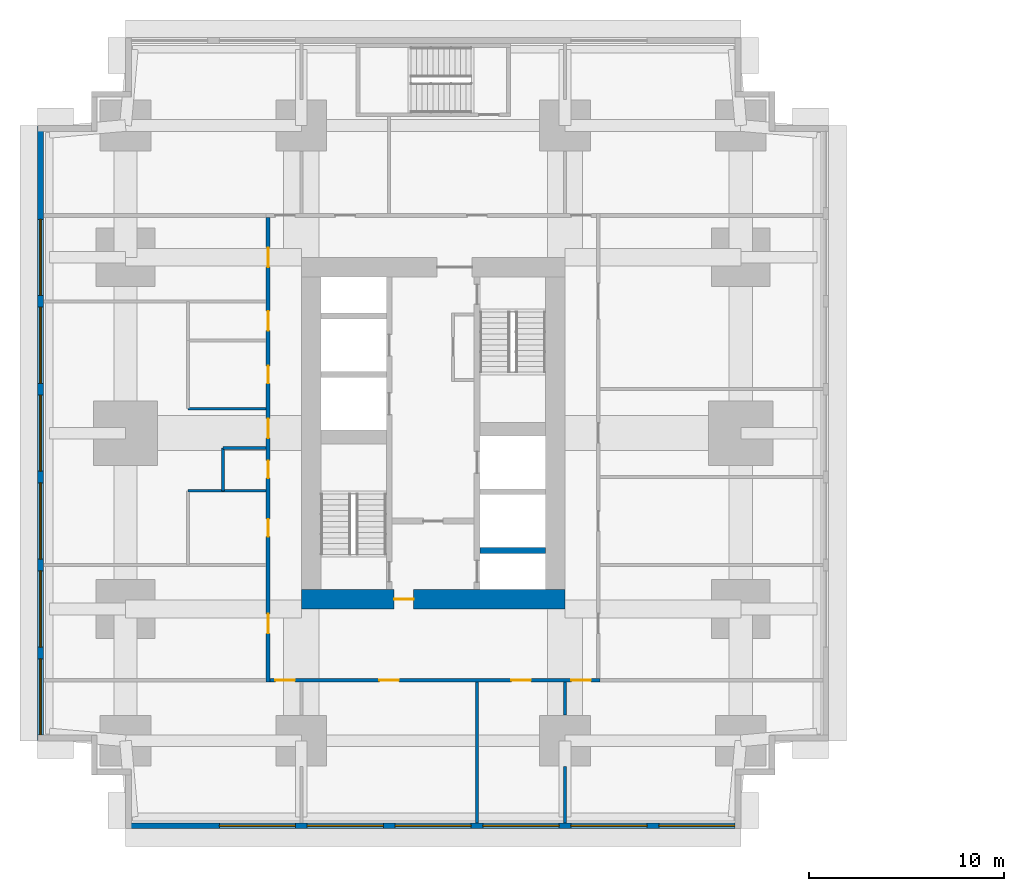
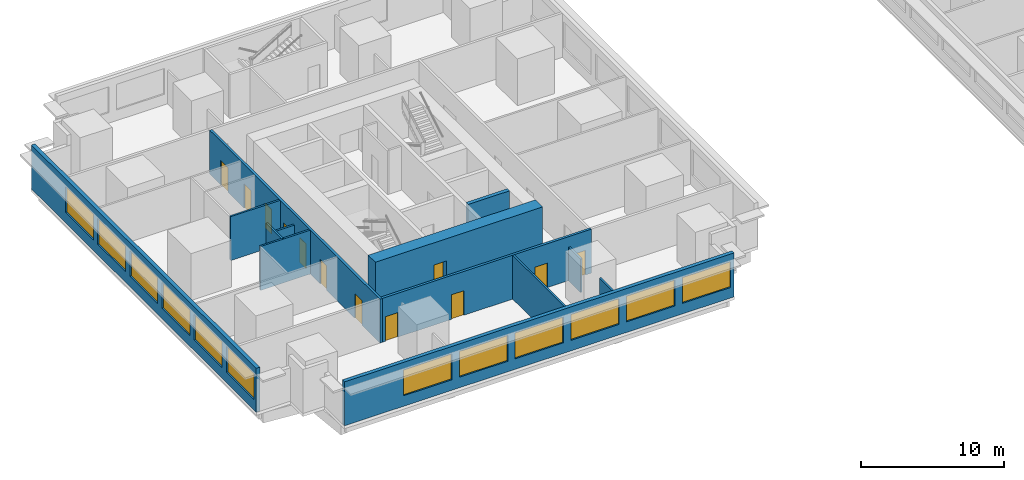
# One storey, part 3 of 11: 13 walls, 12 doors, 12 windows, 24 openings.
"""IFC4 building model written with IfcOpenShell, lengths in metres."""

from ifc_helpers import new_model, si_unit, direction, frame, frame_2d, origin, place, context, subcontext, project, spatial, rectangle, extrude, material, layer, layer_set, type_object, element, fill, save


model = new_model("IFC4")

# Units and contexts
model_context = context("Model", 3, precision=1e-05, world=origin(), true_north=direction((0.0, 1.0)))
body_context = subcontext(model_context, "Body", "Model", "MODEL_VIEW")
ifc_project = project(units=[si_unit("LENGTHUNIT", "METRE"), si_unit("AREAUNIT", "SQUARE_METRE"), si_unit("VOLUMEUNIT", "CUBIC_METRE"), si_unit("PLANEANGLEUNIT", "RADIAN"), si_unit("MASSUNIT", "GRAM", prefix="KILO")], contexts=[model_context])

# Site, building, storey
site_placement = place(None, origin())
site = spatial("IfcSite", under=ifc_project, at=site_placement, CompositionType="ELEMENT")
building_placement = place(site_placement, origin())
building = spatial("IfcBuilding", under=site, at=building_placement, Name="Namib Vertical Campus", CompositionType="ELEMENT")
storey_placement = place(building_placement, frame((0.0, 0.0, 33.0)))
storey = spatial("IfcBuildingStorey", under=building, at=storey_placement, Name="L07", CompositionType="ELEMENT", Elevation=33.0)

# Wall
ifc_material_1 = material(Name="Concrete C60/75", Category="concrete")
ifc_layer_1 = layer(ifc_material_1, 0.300048828125)
ifc_layer_set_1 = layer_set([ifc_layer_1], Name="Concrete C60/75")
wall_type_1 = type_object("IfcWallType", Name="Core inner wall 300", PredefinedType="SHEAR", material=ifc_layer_set_1)
wall_1_placement = place(storey_placement, frame((22.64990234375, 14.25, 0.0), z_axis=(0.0, 0.0, 1.0), x_axis=(1.0, 0.0, 0.0)))
element("IfcWall", 1, at=wall_1_placement, inside=storey, type_object=wall_type_1, Name="Core inner wall A L07 W5", PredefinedType="SHEAR", context=body_context, shape_type="SweptSolid", body=[
    extrude(rectangle(XDim=3.35009765625, YDim=0.300048828125, at=frame_2d((1.675048828125, 0.0))), origin(), (0.0, 0.0, 1.0), 4.0),
])

# Wall, opening, door
ifc_material_2 = material(Name="Concrete C60/75", Category="concrete")
ifc_layer_2 = layer(ifc_material_2, 1.0)
ifc_layer_set_2 = layer_set([ifc_layer_2], Name="Concrete C60/75")
wall_type_2 = type_object("IfcWallType", Name="Core wall 1000", PredefinedType="SHEAR", material=ifc_layer_set_2)
wall_2_placement = place(storey_placement, frame((13.5, 11.75, 0.0), z_axis=(0.0, 0.0, 1.0), x_axis=(1.0, 0.0, 0.0)))
wall_2 = element("IfcWall", 2, at=wall_2_placement, inside=storey, type_object=wall_type_2, Name="Core wall A L07 1", PredefinedType="SHEAR", context=body_context, shape_type="SweptSolid", body=[
    extrude(rectangle(XDim=13.5, YDim=1.0, at=frame_2d((6.75, 0.0))), origin(), (0.0, 0.0, 1.0), 4.0),
])
opening_1_placement = place(wall_2_placement, frame((4.75, 0.0, 0.0)))
opening_1 = element("IfcOpeningElement", 3, at=opening_1_placement, cuts=wall_2, Name="Opening FD5", PredefinedType="OPENING", context=body_context, shape_type="SweptSolid", body=[
    extrude(rectangle(XDim=1.0, YDim=2.10009765625, at=frame_2d((0.5, 1.050048828125))), frame((0.0, 0.510009765625, 0.0), z_axis=(0.0, -1.0, 0.0), x_axis=(1.0, 0.0, 0.0)), (0.0, 0.0, 1.0), 1.02001953125),
])
ifc_material_3 = material(Name="Steel fire door", Category="steel")
door_type_1 = type_object("IfcDoorType", Name="Fire door 1000x2100 120 min", OperationType="SINGLE_SWING_RIGHT", PredefinedType="DOOR", material=ifc_material_3)
door_1_placement = place(opening_1_placement, origin())
door_1 = element("IfcDoor", 4, at=door_1_placement, inside=storey, type_object=door_type_1, Name="Firefighting lobby door FD5 A L07", OperationType="SINGLE_SWING_LEFT", OverallHeight=2.10009765625, OverallWidth=1.0, PredefinedType="DOOR", context=body_context, shape_type="SweptSolid", body=[
    extrude(rectangle(XDim=1.0, YDim=2.10009765625, at=frame_2d((0.5, 1.050048828125))), frame((0.0, 0.02490234375, 0.0), z_axis=(0.0, -1.0, 0.0), x_axis=(1.0, 0.0, 0.0)), (0.0, 0.0, 1.0), 0.050048828125),
])
fill(opening_1, door_1)

# Wall, openings, doors
ifc_material_4 = material(Name="Concrete masonry", Category="masonry")
ifc_layer_3 = layer(ifc_material_4, 0.199951171875)
ifc_layer_set_3 = layer_set([ifc_layer_3], Name="Corridor wall 200")
wall_type_3 = type_object("IfcWallType", Name="Corridor wall 200", PredefinedType="SOLIDWALL", material=ifc_layer_set_3)
wall_3_placement = place(storey_placement, frame((11.89990234375, 7.60009765625, 0.0), z_axis=(0.0, 0.0, 1.0), x_axis=(1.0, 0.0, 0.0)))
wall_3 = element("IfcWall", 5, at=wall_3_placement, inside=storey, type_object=wall_type_3, Name="Corridor wall A L07 CS", PredefinedType="SOLIDWALL", context=body_context, shape_type="SweptSolid", body=[
    extrude(rectangle(XDim=16.900146484375, YDim=0.199951171875, at=frame_2d((8.4501953125, 0.0))), origin(), (0.0, 0.0, 1.0), 3.75),
])
opening_2_placement = place(wall_3_placement, frame((0.27490234375, 0.0, 0.0)))
opening_2 = element("IfcOpeningElement", 6, at=opening_2_placement, cuts=wall_3, Name="Opening CD1", PredefinedType="OPENING", context=body_context, shape_type="SweptSolid", body=[
    extrude(rectangle(XDim=1.0, YDim=2.10009765625, at=frame_2d((0.5, 1.050048828125))), frame((0.0, 0.10986328125, 0.0), z_axis=(0.0, -1.0, 0.0), x_axis=(1.0, 0.0, 0.0)), (0.0, 0.0, 1.0), 0.219970703125),
])
opening_3_placement = place(wall_3_placement, frame((5.60009765625, 0.0, 0.0)))
opening_3 = element("IfcOpeningElement", 7, at=opening_3_placement, cuts=wall_3, Name="Opening CD1", PredefinedType="OPENING", context=body_context, shape_type="SweptSolid", body=[
    extrude(rectangle(XDim=1.0, YDim=2.10009765625, at=frame_2d((0.5, 1.050048828125))), frame((0.0, 0.10986328125, 0.0), z_axis=(0.0, -1.0, 0.0), x_axis=(1.0, 0.0, 0.0)), (0.0, 0.0, 1.0), 0.219970703125),
])
opening_4_placement = place(wall_3_placement, frame((12.35009765625, 0.0, 0.0)))
opening_4 = element("IfcOpeningElement", 8, at=opening_4_placement, cuts=wall_3, Name="Opening CD1", PredefinedType="OPENING", context=body_context, shape_type="SweptSolid", body=[
    extrude(rectangle(XDim=1.0, YDim=2.10009765625, at=frame_2d((0.5, 1.050048828125))), frame((0.0, 0.10986328125, 0.0), z_axis=(0.0, -1.0, 0.0), x_axis=(1.0, 0.0, 0.0)), (0.0, 0.0, 1.0), 0.219970703125),
])
opening_5_placement = place(wall_3_placement, frame((15.425048828125, 0.0, 0.0)))
opening_5 = element("IfcOpeningElement", 9, at=opening_5_placement, cuts=wall_3, Name="Opening CD1", PredefinedType="OPENING", context=body_context, shape_type="SweptSolid", body=[
    extrude(rectangle(XDim=1.0, YDim=2.10009765625, at=frame_2d((0.5, 1.050048828125))), frame((0.0, 0.10986328125, 0.0), z_axis=(0.0, -1.0, 0.0), x_axis=(1.0, 0.0, 0.0)), (0.0, 0.0, 1.0), 0.219970703125),
])
ifc_material_5 = material(Name="Timber fire door leaf", Category="wood")
door_type_2 = type_object("IfcDoorType", Name="Corridor door 1000x2100 20 min", OperationType="SINGLE_SWING_LEFT", PredefinedType="DOOR", material=ifc_material_5)
door_2_placement = place(opening_2_placement, frame((1.0, 0.0, 0.0), z_axis=(0.0, 0.0, 1.0), x_axis=(-1.0, 0.0, 0.0)))
door_2 = element("IfcDoor", 10, at=door_2_placement, inside=storey, type_object=door_type_2, Name="Door CD1 A07-01", OperationType="SINGLE_SWING_LEFT", OverallHeight=2.10009765625, OverallWidth=1.0, PredefinedType="DOOR", context=body_context, shape_type="SweptSolid", body=[
    extrude(rectangle(XDim=1.0, YDim=2.10009765625, at=frame_2d((0.5, 1.050048828125))), frame((0.0, 0.02490234375, 0.0), z_axis=(0.0, -1.0, 0.0), x_axis=(1.0, 0.0, 0.0)), (0.0, 0.0, 1.0), 0.050048828125),
])
fill(opening_2, door_2)
door_3_placement = place(opening_3_placement, frame((1.0, 0.0, 0.0), z_axis=(0.0, 0.0, 1.0), x_axis=(-1.0, 0.0, 0.0)))
door_3 = element("IfcDoor", 11, at=door_3_placement, inside=storey, type_object=door_type_2, Name="Door CD1 A07-02", OperationType="SINGLE_SWING_RIGHT", OverallHeight=2.10009765625, OverallWidth=1.0, PredefinedType="DOOR", context=body_context, shape_type="SweptSolid", body=[
    extrude(rectangle(XDim=1.0, YDim=2.10009765625, at=frame_2d((0.5, 1.050048828125))), frame((0.0, 0.02490234375, 0.0), z_axis=(0.0, -1.0, 0.0), x_axis=(1.0, 0.0, 0.0)), (0.0, 0.0, 1.0), 0.050048828125),
])
fill(opening_3, door_3)
door_4_placement = place(opening_4_placement, frame((1.0, 0.0, 0.0), z_axis=(0.0, 0.0, 1.0), x_axis=(-1.0, 0.0, 0.0)))
door_4 = element("IfcDoor", 12, at=door_4_placement, inside=storey, type_object=door_type_2, Name="Door CD1 A07-03", OperationType="SINGLE_SWING_RIGHT", OverallHeight=2.10009765625, OverallWidth=1.0, PredefinedType="DOOR", context=body_context, shape_type="SweptSolid", body=[
    extrude(rectangle(XDim=1.0, YDim=2.10009765625, at=frame_2d((0.5, 1.050048828125))), frame((0.0, 0.02490234375, 0.0), z_axis=(0.0, -1.0, 0.0), x_axis=(1.0, 0.0, 0.0)), (0.0, 0.0, 1.0), 0.050048828125),
])
fill(opening_4, door_4)
door_5_placement = place(opening_5_placement, frame((1.0, 0.0, 0.0), z_axis=(0.0, 0.0, 1.0), x_axis=(-1.0, 0.0, 0.0)))
door_5 = element("IfcDoor", 13, at=door_5_placement, inside=storey, type_object=door_type_2, Name="Door CD1 A07-04", OperationType="SINGLE_SWING_RIGHT", OverallHeight=2.10009765625, OverallWidth=1.0, PredefinedType="DOOR", context=body_context, shape_type="SweptSolid", body=[
    extrude(rectangle(XDim=1.0, YDim=2.10009765625, at=frame_2d((0.5, 1.050048828125))), frame((0.0, 0.02490234375, 0.0), z_axis=(0.0, -1.0, 0.0), x_axis=(1.0, 0.0, 0.0)), (0.0, 0.0, 1.0), 0.050048828125),
])
fill(opening_5, door_5)

wall_4_placement = place(storey_placement, frame((11.800048828125, 31.300048828125, 0.0), z_axis=(0.0, 0.0, 1.0), x_axis=(0.0, -1.0, 0.0)))
wall_4 = element("IfcWall", 14, at=wall_4_placement, inside=storey, type_object=wall_type_3, Name="Corridor wall A L07 CW", PredefinedType="SOLIDWALL", context=body_context, shape_type="SweptSolid", body=[
    extrude(rectangle(XDim=23.800048828125, YDim=0.199951171875, at=frame_2d((11.89990234375, 0.0))), origin(), (0.0, 0.0, 1.0), 3.75),
])
opening_6_placement = place(wall_4_placement, frame((20.300048828125, 0.0, 0.0)))
opening_6 = element("IfcOpeningElement", 15, at=opening_6_placement, cuts=wall_4, Name="Opening CD1", PredefinedType="OPENING", context=body_context, shape_type="SweptSolid", body=[
    extrude(rectangle(XDim=1.0, YDim=2.10009765625, at=frame_2d((0.5, 1.050048828125))), frame((0.0, 0.10986328125, 0.0), z_axis=(0.0, -1.0, 0.0), x_axis=(1.0, 0.0, 0.0)), (0.0, 0.0, 1.0), 0.219970703125),
])
opening_7_placement = place(wall_4_placement, frame((15.449951171875, 0.0, 0.0)))
opening_7 = element("IfcOpeningElement", 16, at=opening_7_placement, cuts=wall_4, Name="Opening CD3", PredefinedType="OPENING", context=body_context, shape_type="SweptSolid", body=[
    extrude(rectangle(XDim=0.89990234375, YDim=2.10009765625, at=frame_2d((0.449951171875, 1.050048828125))), frame((0.0, 0.10986328125, 0.0), z_axis=(0.0, -1.0, 0.0), x_axis=(1.0, 0.0, 0.0)), (0.0, 0.0, 1.0), 0.219970703125),
])
opening_8_placement = place(wall_4_placement, frame((12.449951171875, 0.0, 0.0)))
opening_8 = element("IfcOpeningElement", 17, at=opening_8_placement, cuts=wall_4, Name="Opening CD3", PredefinedType="OPENING", context=body_context, shape_type="SweptSolid", body=[
    extrude(rectangle(XDim=0.89990234375, YDim=2.10009765625, at=frame_2d((0.449951171875, 1.050048828125))), frame((0.0, 0.10986328125, 0.0), z_axis=(0.0, -1.0, 0.0), x_axis=(1.0, 0.0, 0.0)), (0.0, 0.0, 1.0), 0.219970703125),
])
opening_9_placement = place(wall_4_placement, frame((7.60009765625, 0.0, 0.0)))
opening_9 = element("IfcOpeningElement", 18, at=opening_9_placement, cuts=wall_4, Name="Opening CD3", PredefinedType="OPENING", context=body_context, shape_type="SweptSolid", body=[
    extrude(rectangle(XDim=0.89990234375, YDim=2.10009765625, at=frame_2d((0.449951171875, 1.050048828125))), frame((0.0, 0.10986328125, 0.0), z_axis=(0.0, -1.0, 0.0), x_axis=(1.0, 0.0, 0.0)), (0.0, 0.0, 1.0), 0.219970703125),
])
opening_10_placement = place(wall_4_placement, frame((4.800048828125, 0.0, 0.0)))
opening_10 = element("IfcOpeningElement", 19, at=opening_10_placement, cuts=wall_4, Name="Opening CD1", PredefinedType="OPENING", context=body_context, shape_type="SweptSolid", body=[
    extrude(rectangle(XDim=1.0, YDim=2.10009765625, at=frame_2d((0.5, 1.050048828125))), frame((0.0, 0.10986328125, 0.0), z_axis=(0.0, -1.0, 0.0), x_axis=(1.0, 0.0, 0.0)), (0.0, 0.0, 1.0), 0.219970703125),
])
opening_11_placement = place(wall_4_placement, frame((10.300048828125, 0.0, 0.0)))
opening_11 = element("IfcOpeningElement", 20, at=opening_11_placement, cuts=wall_4, Name="Opening CD1", PredefinedType="OPENING", context=body_context, shape_type="SweptSolid", body=[
    extrude(rectangle(XDim=1.0, YDim=2.10009765625, at=frame_2d((0.5, 1.050048828125))), frame((0.0, 0.10986328125, 0.0), z_axis=(0.0, -1.0, 0.0), x_axis=(1.0, 0.0, 0.0)), (0.0, 0.0, 1.0), 0.219970703125),
])
opening_12_placement = place(wall_4_placement, frame((1.550048828125, 0.0, 0.0)))
opening_12 = element("IfcOpeningElement", 21, at=opening_12_placement, cuts=wall_4, Name="Opening CD1", PredefinedType="OPENING", context=body_context, shape_type="SweptSolid", body=[
    extrude(rectangle(XDim=1.0, YDim=2.10009765625, at=frame_2d((0.5, 1.050048828125))), frame((0.0, 0.10986328125, 0.0), z_axis=(0.0, -1.0, 0.0), x_axis=(1.0, 0.0, 0.0)), (0.0, 0.0, 1.0), 0.219970703125),
])
door_6_placement = place(opening_6_placement, frame((1.0, 0.0, 0.0), z_axis=(0.0, 0.0, 1.0), x_axis=(-1.0, 0.0, 0.0)))
door_6 = element("IfcDoor", 22, at=door_6_placement, inside=storey, type_object=door_type_2, Name="Door CD1 A07-13", OperationType="SINGLE_SWING_RIGHT", OverallHeight=2.10009765625, OverallWidth=1.0, PredefinedType="DOOR", context=body_context, shape_type="SweptSolid", body=[
    extrude(rectangle(XDim=1.0, YDim=2.10009765625, at=frame_2d((0.5, 1.050048828125))), frame((0.0, 0.02490234375, 0.0), z_axis=(0.0, -1.0, 0.0), x_axis=(1.0, 0.0, 0.0)), (0.0, 0.0, 1.0), 0.050048828125),
])
fill(opening_6, door_6)
door_7_placement = place(opening_10_placement, frame((1.0, 0.0, 0.0), z_axis=(0.0, 0.0, 1.0), x_axis=(-1.0, 0.0, 0.0)))
door_7 = element("IfcDoor", 23, at=door_7_placement, inside=storey, type_object=door_type_2, Name="Door CD1 A07-17", OperationType="SINGLE_SWING_RIGHT", OverallHeight=2.10009765625, OverallWidth=1.0, PredefinedType="DOOR", context=body_context, shape_type="SweptSolid", body=[
    extrude(rectangle(XDim=1.0, YDim=2.10009765625, at=frame_2d((0.5, 1.050048828125))), frame((0.0, 0.02490234375, 0.0), z_axis=(0.0, -1.0, 0.0), x_axis=(1.0, 0.0, 0.0)), (0.0, 0.0, 1.0), 0.050048828125),
])
fill(opening_10, door_7)
door_8_placement = place(opening_11_placement, frame((1.0, 0.0, 0.0), z_axis=(0.0, 0.0, 1.0), x_axis=(-1.0, 0.0, 0.0)))
door_8 = element("IfcDoor", 24, at=door_8_placement, inside=storey, type_object=door_type_2, Name="Door CD1 A07-18", OperationType="SINGLE_SWING_RIGHT", OverallHeight=2.10009765625, OverallWidth=1.0, PredefinedType="DOOR", context=body_context, shape_type="SweptSolid", body=[
    extrude(rectangle(XDim=1.0, YDim=2.10009765625, at=frame_2d((0.5, 1.050048828125))), frame((0.0, 0.02490234375, 0.0), z_axis=(0.0, -1.0, 0.0), x_axis=(1.0, 0.0, 0.0)), (0.0, 0.0, 1.0), 0.050048828125),
])
fill(opening_11, door_8)
door_9_placement = place(opening_12_placement, frame((1.0, 0.0, 0.0), z_axis=(0.0, 0.0, 1.0), x_axis=(-1.0, 0.0, 0.0)))
door_9 = element("IfcDoor", 25, at=door_9_placement, inside=storey, type_object=door_type_2, Name="Door CD1 A07-19", OperationType="SINGLE_SWING_RIGHT", OverallHeight=2.10009765625, OverallWidth=1.0, PredefinedType="DOOR", context=body_context, shape_type="SweptSolid", body=[
    extrude(rectangle(XDim=1.0, YDim=2.10009765625, at=frame_2d((0.5, 1.050048828125))), frame((0.0, 0.02490234375, 0.0), z_axis=(0.0, -1.0, 0.0), x_axis=(1.0, 0.0, 0.0)), (0.0, 0.0, 1.0), 0.050048828125),
])
fill(opening_12, door_9)
ifc_material_6 = material(Name="Timber fire door leaf", Category="wood")
door_type_3 = type_object("IfcDoorType", Name="Corridor toilet door 900x2100 20 min", OperationType="SINGLE_SWING_LEFT", PredefinedType="DOOR", material=ifc_material_6)
door_10_placement = place(opening_7_placement, frame((0.89990234375, 0.0, 0.0), z_axis=(0.0, 0.0, 1.0), x_axis=(-1.0, 0.0, 0.0)))
door_10 = element("IfcDoor", 26, at=door_10_placement, inside=storey, type_object=door_type_3, Name="Door CD3 A07-14", OperationType="SINGLE_SWING_RIGHT", OverallHeight=2.10009765625, OverallWidth=0.89990234375, PredefinedType="DOOR", context=body_context, shape_type="SweptSolid", body=[
    extrude(rectangle(XDim=0.89990234375, YDim=2.10009765625, at=frame_2d((0.449951171875, 1.050048828125))), frame((0.0, 0.02490234375, 0.0), z_axis=(0.0, -1.0, 0.0), x_axis=(1.0, 0.0, 0.0)), (0.0, 0.0, 1.0), 0.050048828125),
])
fill(opening_7, door_10)
door_11_placement = place(opening_8_placement, frame((0.89990234375, 0.0, 0.0), z_axis=(0.0, 0.0, 1.0), x_axis=(-1.0, 0.0, 0.0)))
door_11 = element("IfcDoor", 27, at=door_11_placement, inside=storey, type_object=door_type_3, Name="Door CD3 A07-15", OperationType="SINGLE_SWING_RIGHT", OverallHeight=2.10009765625, OverallWidth=0.89990234375, PredefinedType="DOOR", context=body_context, shape_type="SweptSolid", body=[
    extrude(rectangle(XDim=0.89990234375, YDim=2.10009765625, at=frame_2d((0.449951171875, 1.050048828125))), frame((0.0, 0.02490234375, 0.0), z_axis=(0.0, -1.0, 0.0), x_axis=(1.0, 0.0, 0.0)), (0.0, 0.0, 1.0), 0.050048828125),
])
fill(opening_8, door_11)
door_12_placement = place(opening_9_placement, frame((0.89990234375, 0.0, 0.0), z_axis=(0.0, 0.0, 1.0), x_axis=(-1.0, 0.0, 0.0)))
door_12 = element("IfcDoor", 28, at=door_12_placement, inside=storey, type_object=door_type_3, Name="Door CD3 A07-16", OperationType="SINGLE_SWING_RIGHT", OverallHeight=2.10009765625, OverallWidth=0.89990234375, PredefinedType="DOOR", context=body_context, shape_type="SweptSolid", body=[
    extrude(rectangle(XDim=0.89990234375, YDim=2.10009765625, at=frame_2d((0.449951171875, 1.050048828125))), frame((0.0, 0.02490234375, 0.0), z_axis=(0.0, -1.0, 0.0), x_axis=(1.0, 0.0, 0.0)), (0.0, 0.0, 1.0), 0.050048828125),
])
fill(opening_9, door_12)

# Wall, openings, windows
ifc_material_7 = material(Name="Concrete C40/50", Category="concrete")
ifc_layer_4 = layer(ifc_material_7, 0.300048828125)
ifc_layer_set_4 = layer_set([ifc_layer_4], Name="Concrete C40/50")
wall_type_4 = type_object("IfcWallType", Name="External wall 300 board-marked concrete", PredefinedType="STANDARD", material=ifc_layer_set_4)
wall_5_placement = place(storey_placement, frame((4.52001953125, 0.14990234375, 0.0), z_axis=(0.0, 0.0, 1.0), x_axis=(1.0, 0.0, 0.0)))
wall_5 = element("IfcWall", 29, at=wall_5_placement, inside=storey, type_object=wall_type_4, Name="External wall L07 F01", PredefinedType="STANDARD", context=body_context, shape_type="SweptSolid", body=[
    extrude(rectangle(XDim=31.4599609375, YDim=0.300048828125, at=frame_2d((15.72998046875, 0.0))), origin(), (0.0, 0.0, 1.0), 3.75),
])
opening_13_placement = place(wall_5_placement, frame((4.780029296875, 0.0, 0.89990234375)))
opening_13 = element("IfcOpeningElement", 30, at=opening_13_placement, cuts=wall_5, Name="Opening W1", PredefinedType="OPENING", context=body_context, shape_type="SweptSolid", body=[
    extrude(rectangle(XDim=3.89990234375, YDim=2.199951171875, at=frame_2d((1.949951171875, 1.10009765625))), frame((0.0, 0.159912109375, 0.0), z_axis=(0.0, -1.0, 0.0), x_axis=(1.0, 0.0, 0.0)), (0.0, 0.0, 1.0), 0.320068359375),
])
opening_14_placement = place(wall_5_placement, frame((9.280029296875, 0.0, 0.89990234375)))
opening_14 = element("IfcOpeningElement", 31, at=opening_14_placement, cuts=wall_5, Name="Opening W1", PredefinedType="OPENING", context=body_context, shape_type="SweptSolid", body=[
    extrude(rectangle(XDim=3.89990234375, YDim=2.199951171875, at=frame_2d((1.949951171875, 1.10009765625))), frame((0.0, 0.159912109375, 0.0), z_axis=(0.0, -1.0, 0.0), x_axis=(1.0, 0.0, 0.0)), (0.0, 0.0, 1.0), 0.320068359375),
])
opening_15_placement = place(wall_5_placement, frame((13.780029296875, 0.0, 0.89990234375)))
opening_15 = element("IfcOpeningElement", 32, at=opening_15_placement, cuts=wall_5, Name="Opening W1", PredefinedType="OPENING", context=body_context, shape_type="SweptSolid", body=[
    extrude(rectangle(XDim=3.89990234375, YDim=2.199951171875, at=frame_2d((1.949951171875, 1.10009765625))), frame((0.0, 0.159912109375, 0.0), z_axis=(0.0, -1.0, 0.0), x_axis=(1.0, 0.0, 0.0)), (0.0, 0.0, 1.0), 0.320068359375),
])
opening_16_placement = place(wall_5_placement, frame((18.280029296875, 0.0, 0.89990234375)))
opening_16 = element("IfcOpeningElement", 33, at=opening_16_placement, cuts=wall_5, Name="Opening W1", PredefinedType="OPENING", context=body_context, shape_type="SweptSolid", body=[
    extrude(rectangle(XDim=3.89990234375, YDim=2.199951171875, at=frame_2d((1.949951171875, 1.10009765625))), frame((0.0, 0.159912109375, 0.0), z_axis=(0.0, -1.0, 0.0), x_axis=(1.0, 0.0, 0.0)), (0.0, 0.0, 1.0), 0.320068359375),
])
opening_17_placement = place(wall_5_placement, frame((22.780029296875, 0.0, 0.89990234375)))
opening_17 = element("IfcOpeningElement", 34, at=opening_17_placement, cuts=wall_5, Name="Opening W1", PredefinedType="OPENING", context=body_context, shape_type="SweptSolid", body=[
    extrude(rectangle(XDim=3.89990234375, YDim=2.199951171875, at=frame_2d((1.949951171875, 1.10009765625))), frame((0.0, 0.159912109375, 0.0), z_axis=(0.0, -1.0, 0.0), x_axis=(1.0, 0.0, 0.0)), (0.0, 0.0, 1.0), 0.320068359375),
])
opening_18_placement = place(wall_5_placement, frame((27.280029296875, 0.0, 0.89990234375)))
opening_18 = element("IfcOpeningElement", 35, at=opening_18_placement, cuts=wall_5, Name="Opening W1", PredefinedType="OPENING", context=body_context, shape_type="SweptSolid", body=[
    extrude(rectangle(XDim=3.89990234375, YDim=2.199951171875, at=frame_2d((1.949951171875, 1.10009765625))), frame((0.0, 0.159912109375, 0.0), z_axis=(0.0, -1.0, 0.0), x_axis=(1.0, 0.0, 0.0)), (0.0, 0.0, 1.0), 0.320068359375),
])
ifc_material_8 = material(Name="Dark tinted glass in black aluminium frame", Category="aluminium")
window_type = type_object("IfcWindowType", Name="Ribbon window 3900x2200", PartitioningType="SINGLE_PANEL", PredefinedType="WINDOW", material=ifc_material_8)
window_1_placement = place(opening_13_placement, origin())
window_1 = element("IfcWindow", 36, at=window_1_placement, inside=storey, type_object=window_type, Name="Window W1 L07 F01-2", OverallHeight=2.199951171875, OverallWidth=3.89990234375, PartitioningType="SINGLE_PANEL", PredefinedType="WINDOW", context=body_context, shape_type="SweptSolid", body=[
    extrude(rectangle(XDim=3.89990234375, YDim=2.199951171875, at=frame_2d((1.949951171875, 1.10009765625))), frame((0.0, 0.030029296875, 0.0), z_axis=(0.0, -1.0, 0.0), x_axis=(1.0, 0.0, 0.0)), (0.0, 0.0, 1.0), 0.06005859375),
])
fill(opening_13, window_1)
window_2_placement = place(opening_14_placement, origin())
window_2 = element("IfcWindow", 37, at=window_2_placement, inside=storey, type_object=window_type, Name="Window W1 L07 F01-3", OverallHeight=2.199951171875, OverallWidth=3.89990234375, PartitioningType="SINGLE_PANEL", PredefinedType="WINDOW", context=body_context, shape_type="SweptSolid", body=[
    extrude(rectangle(XDim=3.89990234375, YDim=2.199951171875, at=frame_2d((1.949951171875, 1.10009765625))), frame((0.0, 0.030029296875, 0.0), z_axis=(0.0, -1.0, 0.0), x_axis=(1.0, 0.0, 0.0)), (0.0, 0.0, 1.0), 0.06005859375),
])
fill(opening_14, window_2)
window_3_placement = place(opening_15_placement, origin())
window_3 = element("IfcWindow", 38, at=window_3_placement, inside=storey, type_object=window_type, Name="Window W1 L07 F01-4", OverallHeight=2.199951171875, OverallWidth=3.89990234375, PartitioningType="SINGLE_PANEL", PredefinedType="WINDOW", context=body_context, shape_type="SweptSolid", body=[
    extrude(rectangle(XDim=3.89990234375, YDim=2.199951171875, at=frame_2d((1.949951171875, 1.10009765625))), frame((0.0, 0.030029296875, 0.0), z_axis=(0.0, -1.0, 0.0), x_axis=(1.0, 0.0, 0.0)), (0.0, 0.0, 1.0), 0.06005859375),
])
fill(opening_15, window_3)
window_4_placement = place(opening_16_placement, origin())
window_4 = element("IfcWindow", 39, at=window_4_placement, inside=storey, type_object=window_type, Name="Window W1 L07 F01-5", OverallHeight=2.199951171875, OverallWidth=3.89990234375, PartitioningType="SINGLE_PANEL", PredefinedType="WINDOW", context=body_context, shape_type="SweptSolid", body=[
    extrude(rectangle(XDim=3.89990234375, YDim=2.199951171875, at=frame_2d((1.949951171875, 1.10009765625))), frame((0.0, 0.030029296875, 0.0), z_axis=(0.0, -1.0, 0.0), x_axis=(1.0, 0.0, 0.0)), (0.0, 0.0, 1.0), 0.06005859375),
])
fill(opening_16, window_4)
window_5_placement = place(opening_17_placement, origin())
window_5 = element("IfcWindow", 40, at=window_5_placement, inside=storey, type_object=window_type, Name="Window W1 L07 F01-6", OverallHeight=2.199951171875, OverallWidth=3.89990234375, PartitioningType="SINGLE_PANEL", PredefinedType="WINDOW", context=body_context, shape_type="SweptSolid", body=[
    extrude(rectangle(XDim=3.89990234375, YDim=2.199951171875, at=frame_2d((1.949951171875, 1.10009765625))), frame((0.0, 0.030029296875, 0.0), z_axis=(0.0, -1.0, 0.0), x_axis=(1.0, 0.0, 0.0)), (0.0, 0.0, 1.0), 0.06005859375),
])
fill(opening_17, window_5)
window_6_placement = place(opening_18_placement, origin())
window_6 = element("IfcWindow", 41, at=window_6_placement, inside=storey, type_object=window_type, Name="Window W1 L07 F01-7", OverallHeight=2.199951171875, OverallWidth=3.89990234375, PartitioningType="SINGLE_PANEL", PredefinedType="WINDOW", context=body_context, shape_type="SweptSolid", body=[
    extrude(rectangle(XDim=3.89990234375, YDim=2.199951171875, at=frame_2d((1.949951171875, 1.10009765625))), frame((0.0, 0.030029296875, 0.0), z_axis=(0.0, -1.0, 0.0), x_axis=(1.0, 0.0, 0.0)), (0.0, 0.0, 1.0), 0.06005859375),
])
fill(opening_18, window_6)

wall_6_placement = place(storey_placement, frame((0.14990234375, 35.97998046875, 0.0), z_axis=(0.0, 0.0, 1.0), x_axis=(0.0, -1.0, 0.0)))
wall_6 = element("IfcWall", 42, at=wall_6_placement, inside=storey, type_object=wall_type_4, Name="External wall L07 F16", PredefinedType="STANDARD", context=body_context, shape_type="SweptSolid", body=[
    extrude(rectangle(XDim=31.4599609375, YDim=0.300048828125, at=frame_2d((15.72998046875, 0.0))), origin(), (0.0, 0.0, 1.0), 3.75),
])
opening_19_placement = place(wall_6_placement, frame((27.280029296875, 0.0, 0.89990234375)))
opening_19 = element("IfcOpeningElement", 43, at=opening_19_placement, cuts=wall_6, Name="Opening W1", PredefinedType="OPENING", context=body_context, shape_type="SweptSolid", body=[
    extrude(rectangle(XDim=3.89990234375, YDim=2.199951171875, at=frame_2d((1.949951171875, 1.10009765625))), frame((0.0, 0.159912109375, 0.0), z_axis=(0.0, -1.0, 0.0), x_axis=(1.0, 0.0, 0.0)), (0.0, 0.0, 1.0), 0.320068359375),
])
opening_20_placement = place(wall_6_placement, frame((22.780029296875, 0.0, 0.89990234375)))
opening_20 = element("IfcOpeningElement", 44, at=opening_20_placement, cuts=wall_6, Name="Opening W1", PredefinedType="OPENING", context=body_context, shape_type="SweptSolid", body=[
    extrude(rectangle(XDim=3.89990234375, YDim=2.199951171875, at=frame_2d((1.949951171875, 1.10009765625))), frame((0.0, 0.159912109375, 0.0), z_axis=(0.0, -1.0, 0.0), x_axis=(1.0, 0.0, 0.0)), (0.0, 0.0, 1.0), 0.320068359375),
])
opening_21_placement = place(wall_6_placement, frame((18.280029296875, 0.0, 0.89990234375)))
opening_21 = element("IfcOpeningElement", 45, at=opening_21_placement, cuts=wall_6, Name="Opening W1", PredefinedType="OPENING", context=body_context, shape_type="SweptSolid", body=[
    extrude(rectangle(XDim=3.89990234375, YDim=2.199951171875, at=frame_2d((1.949951171875, 1.10009765625))), frame((0.0, 0.159912109375, 0.0), z_axis=(0.0, -1.0, 0.0), x_axis=(1.0, 0.0, 0.0)), (0.0, 0.0, 1.0), 0.320068359375),
])
opening_22_placement = place(wall_6_placement, frame((13.780029296875, 0.0, 0.89990234375)))
opening_22 = element("IfcOpeningElement", 46, at=opening_22_placement, cuts=wall_6, Name="Opening W1", PredefinedType="OPENING", context=body_context, shape_type="SweptSolid", body=[
    extrude(rectangle(XDim=3.89990234375, YDim=2.199951171875, at=frame_2d((1.949951171875, 1.10009765625))), frame((0.0, 0.159912109375, 0.0), z_axis=(0.0, -1.0, 0.0), x_axis=(1.0, 0.0, 0.0)), (0.0, 0.0, 1.0), 0.320068359375),
])
opening_23_placement = place(wall_6_placement, frame((9.280029296875, 0.0, 0.89990234375)))
opening_23 = element("IfcOpeningElement", 47, at=opening_23_placement, cuts=wall_6, Name="Opening W1", PredefinedType="OPENING", context=body_context, shape_type="SweptSolid", body=[
    extrude(rectangle(XDim=3.89990234375, YDim=2.199951171875, at=frame_2d((1.949951171875, 1.10009765625))), frame((0.0, 0.159912109375, 0.0), z_axis=(0.0, -1.0, 0.0), x_axis=(1.0, 0.0, 0.0)), (0.0, 0.0, 1.0), 0.320068359375),
])
opening_24_placement = place(wall_6_placement, frame((4.780029296875, 0.0, 0.89990234375)))
opening_24 = element("IfcOpeningElement", 48, at=opening_24_placement, cuts=wall_6, Name="Opening W1", PredefinedType="OPENING", context=body_context, shape_type="SweptSolid", body=[
    extrude(rectangle(XDim=3.89990234375, YDim=2.199951171875, at=frame_2d((1.949951171875, 1.10009765625))), frame((0.0, 0.159912109375, 0.0), z_axis=(0.0, -1.0, 0.0), x_axis=(1.0, 0.0, 0.0)), (0.0, 0.0, 1.0), 0.320068359375),
])
window_7_placement = place(opening_19_placement, origin())
window_7 = element("IfcWindow", 49, at=window_7_placement, inside=storey, type_object=window_type, Name="Window W1 L07 F16-1", OverallHeight=2.199951171875, OverallWidth=3.89990234375, PartitioningType="SINGLE_PANEL", PredefinedType="WINDOW", context=body_context, shape_type="SweptSolid", body=[
    extrude(rectangle(XDim=3.89990234375, YDim=2.199951171875, at=frame_2d((1.949951171875, 1.10009765625))), frame((0.0, 0.030029296875, 0.0), z_axis=(0.0, -1.0, 0.0), x_axis=(1.0, 0.0, 0.0)), (0.0, 0.0, 1.0), 0.06005859375),
])
fill(opening_19, window_7)
window_8_placement = place(opening_20_placement, origin())
window_8 = element("IfcWindow", 50, at=window_8_placement, inside=storey, type_object=window_type, Name="Window W1 L07 F16-2", OverallHeight=2.199951171875, OverallWidth=3.89990234375, PartitioningType="SINGLE_PANEL", PredefinedType="WINDOW", context=body_context, shape_type="SweptSolid", body=[
    extrude(rectangle(XDim=3.89990234375, YDim=2.199951171875, at=frame_2d((1.949951171875, 1.10009765625))), frame((0.0, 0.030029296875, 0.0), z_axis=(0.0, -1.0, 0.0), x_axis=(1.0, 0.0, 0.0)), (0.0, 0.0, 1.0), 0.06005859375),
])
fill(opening_20, window_8)
window_9_placement = place(opening_21_placement, origin())
window_9 = element("IfcWindow", 51, at=window_9_placement, inside=storey, type_object=window_type, Name="Window W1 L07 F16-3", OverallHeight=2.199951171875, OverallWidth=3.89990234375, PartitioningType="SINGLE_PANEL", PredefinedType="WINDOW", context=body_context, shape_type="SweptSolid", body=[
    extrude(rectangle(XDim=3.89990234375, YDim=2.199951171875, at=frame_2d((1.949951171875, 1.10009765625))), frame((0.0, 0.030029296875, 0.0), z_axis=(0.0, -1.0, 0.0), x_axis=(1.0, 0.0, 0.0)), (0.0, 0.0, 1.0), 0.06005859375),
])
fill(opening_21, window_9)
window_10_placement = place(opening_22_placement, origin())
window_10 = element("IfcWindow", 52, at=window_10_placement, inside=storey, type_object=window_type, Name="Window W1 L07 F16-4", OverallHeight=2.199951171875, OverallWidth=3.89990234375, PartitioningType="SINGLE_PANEL", PredefinedType="WINDOW", context=body_context, shape_type="SweptSolid", body=[
    extrude(rectangle(XDim=3.89990234375, YDim=2.199951171875, at=frame_2d((1.949951171875, 1.10009765625))), frame((0.0, 0.030029296875, 0.0), z_axis=(0.0, -1.0, 0.0), x_axis=(1.0, 0.0, 0.0)), (0.0, 0.0, 1.0), 0.06005859375),
])
fill(opening_22, window_10)
window_11_placement = place(opening_23_placement, origin())
window_11 = element("IfcWindow", 53, at=window_11_placement, inside=storey, type_object=window_type, Name="Window W1 L07 F16-5", OverallHeight=2.199951171875, OverallWidth=3.89990234375, PartitioningType="SINGLE_PANEL", PredefinedType="WINDOW", context=body_context, shape_type="SweptSolid", body=[
    extrude(rectangle(XDim=3.89990234375, YDim=2.199951171875, at=frame_2d((1.949951171875, 1.10009765625))), frame((0.0, 0.030029296875, 0.0), z_axis=(0.0, -1.0, 0.0), x_axis=(1.0, 0.0, 0.0)), (0.0, 0.0, 1.0), 0.06005859375),
])
fill(opening_23, window_11)
window_12_placement = place(opening_24_placement, origin())
window_12 = element("IfcWindow", 54, at=window_12_placement, inside=storey, type_object=window_type, Name="Window W1 L07 F16-6", OverallHeight=2.199951171875, OverallWidth=3.89990234375, PartitioningType="SINGLE_PANEL", PredefinedType="WINDOW", context=body_context, shape_type="SweptSolid", body=[
    extrude(rectangle(XDim=3.89990234375, YDim=2.199951171875, at=frame_2d((1.949951171875, 1.10009765625))), frame((0.0, 0.030029296875, 0.0), z_axis=(0.0, -1.0, 0.0), x_axis=(1.0, 0.0, 0.0)), (0.0, 0.0, 1.0), 0.06005859375),
])
fill(opening_24, window_12)

# Walls
ifc_material_9 = material(Name="Gypsum board on steel studs", Category="steel")
ifc_layer_5 = layer(ifc_material_9, 0.14990234375)
ifc_layer_set_5 = layer_set([ifc_layer_5], Name="Gypsum board on steel studs")
wall_type_5 = type_object("IfcWallType", Name="Partition 150", PredefinedType="PARTITIONING", material=ifc_layer_set_5)
wall_7_placement = place(storey_placement, frame((22.5, 0.300048828125, 0.0), z_axis=(0.0, 0.0, 1.0), x_axis=(0.0, 1.0, 0.0)))
element("IfcWall", 55, at=wall_7_placement, inside=storey, type_object=wall_type_5, Name="Partition A L07 PS2", PredefinedType="PARTITIONING", context=body_context, shape_type="SweptSolid", body=[
    extrude(rectangle(XDim=7.199951171875, YDim=0.14990234375, at=frame_2d((3.60009765625, 0.0))), origin(), (0.0, 0.0, 1.0), 3.75),
])
wall_8_placement = place(storey_placement, frame((27.0, 0.300048828125, 0.0), z_axis=(0.0, 0.0, 1.0), x_axis=(0.0, 1.0, 0.0)))
element("IfcWall", 56, at=wall_8_placement, inside=storey, type_object=wall_type_5, Name="Partition A L07 PS3", PredefinedType="PARTITIONING", context=body_context, shape_type="SweptSolid", body=[
    extrude(rectangle(XDim=2.8798828125, YDim=0.14990234375, at=frame_2d((1.43994140625, 0.0))), origin(), (0.0, 0.0, 1.0), 2.85009765625),
])
wall_9_placement = place(storey_placement, frame((27.0, 5.820068359375, 0.0), z_axis=(0.0, 0.0, 1.0), x_axis=(0.0, 1.0, 0.0)))
element("IfcWall", 57, at=wall_9_placement, inside=storey, type_object=wall_type_5, Name="Partition A L07 PS3", PredefinedType="PARTITIONING", context=body_context, shape_type="SweptSolid", body=[
    extrude(rectangle(XDim=1.679931640625, YDim=0.14990234375, at=frame_2d((0.83984375, 0.0))), origin(), (0.0, 0.0, 1.0), 2.85009765625),
])
wall_10_placement = place(storey_placement, frame((11.699951171875, 17.300048828125, 0.0), z_axis=(0.0, 0.0, 1.0), x_axis=(-1.0, 0.0, 0.0)))
element("IfcWall", 58, at=wall_10_placement, inside=storey, type_object=wall_type_5, Name="Partition A L07 WR1", PredefinedType="PARTITIONING", context=body_context, shape_type="SweptSolid", body=[
    extrude(rectangle(XDim=4.0, YDim=0.14990234375, at=frame_2d((2.0, 0.0))), origin(), (0.0, 0.0, 1.0), 3.75),
])
wall_11_placement = place(storey_placement, frame((11.699951171875, 19.5, 0.0), z_axis=(0.0, 0.0, 1.0), x_axis=(-1.0, 0.0, 0.0)))
element("IfcWall", 59, at=wall_11_placement, inside=storey, type_object=wall_type_5, Name="Partition A L07 WR2", PredefinedType="PARTITIONING", context=body_context, shape_type="SweptSolid", body=[
    extrude(rectangle(XDim=2.199951171875, YDim=0.14990234375, at=frame_2d((1.10009765625, 0.0))), origin(), (0.0, 0.0, 1.0), 2.85009765625),
])
wall_12_placement = place(storey_placement, frame((11.699951171875, 21.5, 0.0), z_axis=(0.0, 0.0, 1.0), x_axis=(-1.0, 0.0, 0.0)))
element("IfcWall", 60, at=wall_12_placement, inside=storey, type_object=wall_type_5, Name="Partition A L07 WR3", PredefinedType="PARTITIONING", context=body_context, shape_type="SweptSolid", body=[
    extrude(rectangle(XDim=4.0, YDim=0.14990234375, at=frame_2d((2.0, 0.0))), origin(), (0.0, 0.0, 1.0), 3.75),
])
wall_13_placement = place(storey_placement, frame((9.5, 17.300048828125, 0.0), z_axis=(0.0, 0.0, 1.0), x_axis=(0.0, 1.0, 0.0)))
element("IfcWall", 61, at=wall_13_placement, inside=storey, type_object=wall_type_5, Name="Partition A L07 WB2", PredefinedType="PARTITIONING", context=body_context, shape_type="SweptSolid", body=[
    extrude(rectangle(XDim=2.199951171875, YDim=0.14990234375, at=frame_2d((1.10009765625, 0.0))), origin(), (0.0, 0.0, 1.0), 3.75),
])

save(model, "model.ifc")
